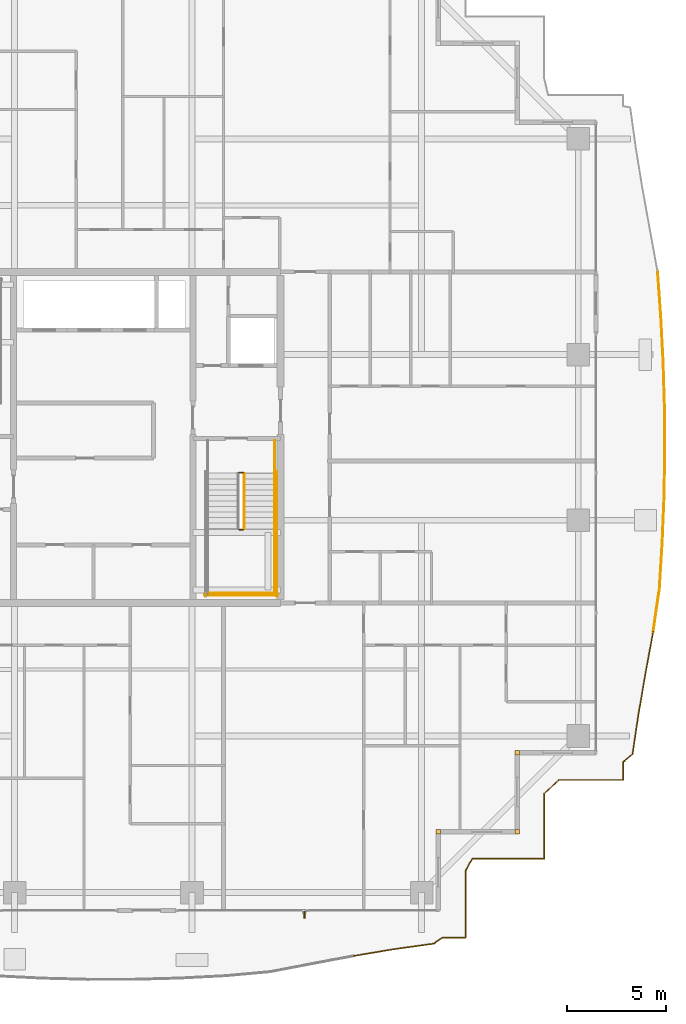
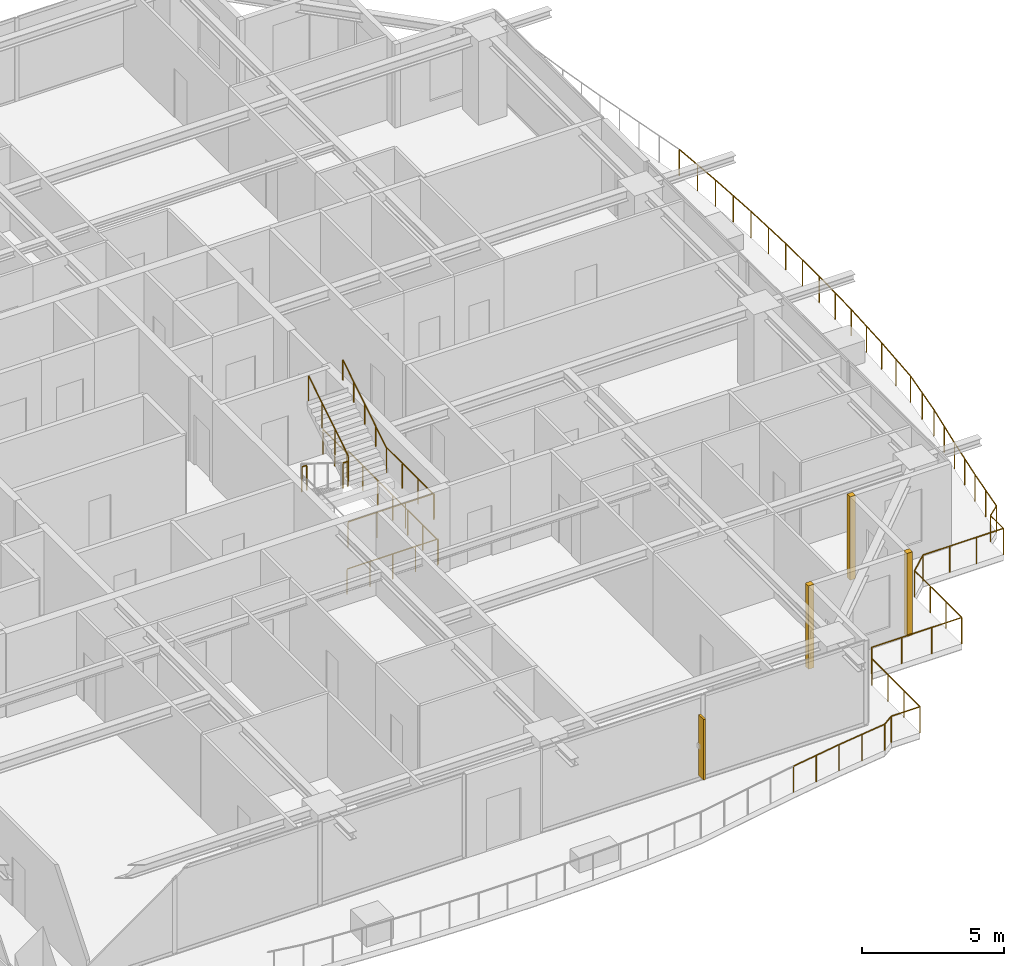
# One storey, part 37 of 38: 12 railings, 3 coverings, 1 shading device.
"""IFC4 building model written with IfcOpenShell, lengths in metres."""

from ifc_helpers import new_model, si_unit, direction, frame, origin, origin_2d, place, context, subcontext, project, spatial, rectangle, circle, extrude, source, transform, mapped, material, layer, layer_set, type_object, element, save


model = new_model("IFC4")

# Units and contexts
model_context = context("Model", 3, precision=1e-05, world=origin(), true_north=direction((0.0, 1.0)))
body_context = subcontext(model_context, "Body", "Model", "MODEL_VIEW")
ifc_project = project(units=[si_unit("LENGTHUNIT", "METRE"), si_unit("AREAUNIT", "SQUARE_METRE"), si_unit("VOLUMEUNIT", "CUBIC_METRE"), si_unit("PLANEANGLEUNIT", "RADIAN"), si_unit("MASSUNIT", "GRAM", prefix="KILO")], contexts=[model_context])

# Site, building, storey
site_placement = place(None, origin())
site = spatial("IfcSite", under=ifc_project, at=site_placement, CompositionType="ELEMENT")
building_placement = place(site_placement, origin())
building = spatial("IfcBuilding", under=site, at=building_placement, Name="Serunith Strait Residences", CompositionType="ELEMENT")
storey_placement = place(building_placement, frame((0.0, 0.0, 229.699951171875)))
storey = spatial("IfcBuildingStorey", under=building, at=storey_placement, Name="L57", CompositionType="ELEMENT", Elevation=229.699951171875)

# Railings
ifc_material_1 = material(Name="Stainless Steel & Laminated Glass Balustrade", Category="steel")
railing_type_1 = type_object("IfcRailingType", Name="RLG-BALC-1150", PredefinedType="BALUSTRADE", material=ifc_material_1)
railing_1_placement = place(storey_placement, frame((60.52783203125, 33.638427734375, -0.050048828125)))
element("IfcRailing", 1, at=railing_1_placement, inside=storey, type_object=railing_type_1, Name="L57 Swirling Balcony Perimeter Balustrade 4", PredefinedType="BALUSTRADE", context=body_context, shape_type="SweptSolid", body=[
    extrude(circle(Radius=0.02392578125, at=origin_2d()), frame((0.000244140625, -0.001953125, 1.1259765625), z_axis=(0.072035193651, -0.997402090872, 0.0), x_axis=(0.997402090872, 0.072035193651, 0.0)), (0.0, 0.0, 1.0), 2.263427734375),
    extrude(circle(Radius=0.02392578125, at=origin_2d()), frame((0.163330078125, -2.263427734375, 1.1259765625), z_axis=(0.0520735547, -0.998643252068, 0.0), x_axis=(0.998643252068, 0.0520735547, 0.0)), (0.0, 0.0, 1.0), 2.293212890625),
    extrude(circle(Radius=0.02392578125, at=origin_2d()), frame((0.282958984375, -4.5576171875, 1.1259765625), z_axis=(0.030764391895, -0.999526664072, 0.0), x_axis=(0.999526664072, 0.030764391895, 0.0)), (0.0, 0.0, 1.0), 2.313232421875),
    extrude(circle(Radius=0.02392578125, at=origin_2d()), frame((0.354248046875, -6.873779296875, 1.1259765625), z_axis=(0.006716188116, -0.999977446154, 0.0), x_axis=(0.999977446154, 0.006716188116, 0.0)), (0.0, 0.0, 1.0), 2.322509765625),
    extrude(circle(Radius=0.02392578125, at=origin_2d()), frame((0.369873046875, -9.2001953125, 1.1259765625), z_axis=(-0.017863675608, -0.999840431816, 0.0), x_axis=(0.999840431816, -0.017863675608, 0.0)), (0.0, 0.0, 1.0), 2.3193359375),
    extrude(circle(Radius=0.02392578125, at=origin_2d()), frame((0.328369140625, -11.523193359375, 1.1259765625), z_axis=(-0.041150925823, -0.999152941898, 0.0), x_axis=(0.999152941898, -0.041150925823, 0.0)), (0.0, 0.0, 1.0), 2.303955078125),
    extrude(circle(Radius=0.02392578125, at=origin_2d()), frame((0.233154296875, -13.8291015625, 1.1259765625), z_axis=(-0.061505879825, -0.998106721121, 0.0), x_axis=(0.998106721121, -0.061505879825, 0.0)), (0.0, 0.0, 1.0), 2.2783203125),
    extrude(circle(Radius=0.02392578125, at=origin_2d()), frame((0.0927734375, -16.107177734375, 1.1259765625), z_axis=(-0.143843679127, -0.98960042238, 0.0), x_axis=(0.98960042238, -0.143843679127, 0.0)), (0.0, 0.0, 1.0), 2.2109375),
    extrude(circle(Radius=0.02099609375, at=origin_2d()), origin(), (0.0, 0.0, 1.0), 1.099853515625),
    extrude(circle(Radius=0.02099609375, at=origin_2d()), frame((0.08154296875, -1.130859375, 0.0)), (0.0, 0.0, 1.0), 1.099853515625),
    extrude(circle(Radius=0.02099609375, at=origin_2d()), frame((0.163330078125, -2.261474609375, 0.0)), (0.0, 0.0, 1.0), 1.099853515625),
    extrude(circle(Radius=0.02099609375, at=origin_2d()), frame((0.22314453125, -3.40869140625, 0.0)), (0.0, 0.0, 1.0), 1.099853515625),
    extrude(circle(Radius=0.02099609375, at=origin_2d()), frame((0.282958984375, -4.5556640625, 0.0)), (0.0, 0.0, 1.0), 1.099853515625),
    extrude(circle(Radius=0.02099609375, at=origin_2d()), frame((0.318603515625, -5.7138671875, 0.0)), (0.0, 0.0, 1.0), 1.099853515625),
    extrude(circle(Radius=0.02099609375, at=origin_2d()), frame((0.354248046875, -6.871826171875, 0.0)), (0.0, 0.0, 1.0), 1.099853515625),
    extrude(circle(Radius=0.02099609375, at=origin_2d()), frame((0.362060546875, -8.03515625, 0.0)), (0.0, 0.0, 1.0), 1.099853515625),
    extrude(circle(Radius=0.02099609375, at=origin_2d()), frame((0.369873046875, -9.1982421875, 0.0)), (0.0, 0.0, 1.0), 1.099853515625),
    extrude(circle(Radius=0.02099609375, at=origin_2d()), frame((0.34912109375, -10.35986328125, 0.0)), (0.0, 0.0, 1.0), 1.099853515625),
    extrude(circle(Radius=0.02099609375, at=origin_2d()), frame((0.328369140625, -11.521240234375, 0.0)), (0.0, 0.0, 1.0), 1.099853515625),
    extrude(circle(Radius=0.02099609375, at=origin_2d()), frame((0.28076171875, -12.67431640625, 0.0)), (0.0, 0.0, 1.0), 1.099853515625),
    extrude(circle(Radius=0.02099609375, at=origin_2d()), frame((0.2333984375, -13.8271484375, 0.0)), (0.0, 0.0, 1.0), 1.099853515625),
    extrude(circle(Radius=0.02099609375, at=origin_2d()), frame((0.1630859375, -14.96630859375, 0.0)), (0.0, 0.0, 1.0), 1.099853515625),
    extrude(circle(Radius=0.02099609375, at=origin_2d()), frame((0.093017578125, -16.105224609375, 0.0)), (0.0, 0.0, 1.0), 1.099853515625),
    extrude(circle(Radius=0.02099609375, at=origin_2d()), frame((-0.06640625, -17.201171875, 0.0)), (0.0, 0.0, 1.0), 1.099853515625),
    extrude(circle(Radius=0.02099609375, at=origin_2d()), frame((-0.2255859375, -18.297119140625, 0.0)), (0.0, 0.0, 1.0), 1.099853515625),
])
railing_2_placement = place(storey_placement, frame((60.30224609375, 15.34130859375, -0.050048828125)))
element("IfcRailing", 2, at=railing_2_placement, inside=storey, type_object=railing_type_1, Name="L57 Swirling Balcony Perimeter Balustrade 5", PredefinedType="BALUSTRADE", context=body_context, shape_type="SweptSolid", body=[
    extrude(circle(Radius=0.02392578125, at=origin_2d()), frame((-0.000244140625, -0.001953125, 1.1259765625), z_axis=(-0.180467311267, -0.983580982718, 0.0), x_axis=(0.983580982718, -0.180467311267, 0.0)), (0.0, 0.0, 1.0), 2.1416015625),
    extrude(circle(Radius=0.02392578125, at=origin_2d()), frame((-0.387451171875, -2.1123046875, 1.1259765625), z_axis=(-0.169028525276, -0.985611159455, 0.0), x_axis=(0.985611159455, -0.169028525276, 0.0)), (0.0, 0.0, 1.0), 2.09033203125),
    extrude(circle(Radius=0.02392578125, at=origin_2d()), frame((-0.741455078125, -4.176513671875, 1.1259765625), z_axis=(-0.148027241341, -0.988983283894, 0.0), x_axis=(0.988983283894, -0.148027241341, 0.0)), (0.0, 0.0, 1.0), 2.05419921875),
    extrude(circle(Radius=0.02392578125, at=origin_2d()), frame((-1.04736328125, -6.21142578125, 1.1259765625), z_axis=(-0.763549553887, -0.645749238295, 0.0), x_axis=(0.645749238295, -0.763549553887, 0.0)), (0.0, 0.0, 1.0), 0.619873046875),
    extrude(circle(Radius=0.02392578125, at=origin_2d()), frame((-1.522216796875, -6.614990234375, 1.1259765625), z_axis=(0.0, -1.0, 0.0), x_axis=(1.0, 0.0, 0.0)), (0.0, 0.0, 1.0), 0.904296875),
    extrude(circle(Radius=0.02392578125, at=origin_2d()), frame((-1.524169921875, -7.521240234375, 1.1259765625), z_axis=(-1.0, 0.0, 0.0), x_axis=(0.0, -1.0, 0.0)), (0.0, 0.0, 1.0), 3.26123046875),
    extrude(circle(Radius=0.02392578125, at=origin_2d()), frame((-4.788818359375, -7.522705078125, 1.1259765625), z_axis=(-0.731337996482, -0.682015201371, 0.0), x_axis=(0.682015201371, -0.731337996482, 0.0)), (0.0, 0.0, 1.0), 1.000732421875),
    extrude(circle(Radius=0.02392578125, at=origin_2d()), frame((-5.522216796875, -8.20849609375, 1.1259765625), z_axis=(0.0, -1.0, 0.0), x_axis=(1.0, 0.0, 0.0)), (0.0, 0.0, 1.0), 3.310791015625),
    extrude(circle(Radius=0.02099609375, at=origin_2d()), origin(), (0.0, 0.0, 1.0), 1.099853515625),
    extrude(circle(Radius=0.02099609375, at=origin_2d()), frame((-0.193603515625, -1.05517578125, 0.0)), (0.0, 0.0, 1.0), 1.099853515625),
    extrude(circle(Radius=0.02099609375, at=origin_2d()), frame((-0.38720703125, -2.1103515625, 0.0)), (0.0, 0.0, 1.0), 1.099853515625),
    extrude(circle(Radius=0.02099609375, at=origin_2d()), frame((-0.564208984375, -3.142578125, 0.0)), (0.0, 0.0, 1.0), 1.099853515625),
    extrude(circle(Radius=0.02099609375, at=origin_2d()), frame((-0.7412109375, -4.174560546875, 0.0)), (0.0, 0.0, 1.0), 1.099853515625),
    extrude(circle(Radius=0.02099609375, at=origin_2d()), frame((-0.8935546875, -5.1923828125, 0.0)), (0.0, 0.0, 1.0), 1.099853515625),
    extrude(circle(Radius=0.02099609375, at=origin_2d()), frame((-1.0458984375, -6.210205078125, 0.0)), (0.0, 0.0, 1.0), 1.099853515625),
    extrude(circle(Radius=0.02099609375, at=origin_2d()), frame((-1.522216796875, -6.613037109375, 0.0)), (0.0, 0.0, 1.0), 1.099853515625),
    extrude(circle(Radius=0.02099609375, at=origin_2d()), frame((-1.522216796875, -7.521240234375, 0.0)), (0.0, 0.0, 1.0), 1.099853515625),
    extrude(circle(Radius=0.02099609375, at=origin_2d()), frame((-2.610595703125, -7.521240234375, 0.0)), (0.0, 0.0, 1.0), 1.099853515625),
    extrude(circle(Radius=0.02099609375, at=origin_2d()), frame((-3.698974609375, -7.521240234375, 0.0)), (0.0, 0.0, 1.0), 1.099853515625),
    extrude(circle(Radius=0.02099609375, at=origin_2d()), frame((-4.787353515625, -7.521240234375, 0.0)), (0.0, 0.0, 1.0), 1.099853515625),
    extrude(circle(Radius=0.02099609375, at=origin_2d()), frame((-5.522216796875, -8.20654296875, 0.0)), (0.0, 0.0, 1.0), 1.099853515625),
    extrude(circle(Radius=0.02099609375, at=origin_2d()), frame((-5.522216796875, -9.3115234375, 0.0)), (0.0, 0.0, 1.0), 1.099853515625),
    extrude(circle(Radius=0.02099609375, at=origin_2d()), frame((-5.522216796875, -10.416259765625, 0.0)), (0.0, 0.0, 1.0), 1.099853515625),
    extrude(circle(Radius=0.02099609375, at=origin_2d()), frame((-5.522216796875, -11.521240234375, 0.0)), (0.0, 0.0, 1.0), 1.099853515625),
])
railing_3_placement = place(storey_placement, frame((54.780029296875, 3.820068359375, -0.050048828125)))
element("IfcRailing", 3, at=railing_3_placement, inside=storey, type_object=railing_type_1, Name="L57 Swirling Balcony Perimeter Balustrade 6", PredefinedType="BALUSTRADE", context=body_context, shape_type="SweptSolid", body=[
    extrude(circle(Radius=0.02392578125, at=origin_2d()), frame((-0.001953125, 0.0, 1.1259765625), z_axis=(-1.0, 0.0, 0.0), x_axis=(0.0, -1.0, 0.0)), (0.0, 0.0, 1.0), 3.655029296875),
    extrude(circle(Radius=0.02392578125, at=origin_2d()), frame((-3.659912109375, -0.001708984375, 1.1259765625), z_axis=(-0.482648021958, -0.875814413503, 0.0), x_axis=(0.875814413503, -0.482648021958, 0.0)), (0.0, 0.0, 1.0), 0.70263671875),
    extrude(circle(Radius=0.02392578125, at=origin_2d()), frame((-4.0, -0.620849609375, 1.1259765625), z_axis=(0.0, -1.0, 0.0), x_axis=(1.0, 0.0, 0.0)), (0.0, 0.0, 1.0), 3.377197265625),
    extrude(circle(Radius=0.02392578125, at=origin_2d()), frame((-4.001953125, -4.0, 1.1259765625), z_axis=(-1.0, 0.0, 0.0), x_axis=(0.0, -1.0, 0.0)), (0.0, 0.0, 1.0), 1.167724609375),
    extrude(circle(Radius=0.02392578125, at=origin_2d()), frame((-5.17333984375, -4.001220703125, 1.1259765625), z_axis=(-0.819893644479, -0.572515861564, 0.0), x_axis=(0.572515861564, -0.819893644479, 0.0)), (0.0, 0.0, 1.0), 0.532958984375),
    extrude(circle(Radius=0.02392578125, at=origin_2d()), frame((-5.61376953125, -4.3076171875, 1.1259765625), z_axis=(-0.990339778668, -0.138661900993, 0.0), x_axis=(0.138661900993, -0.990339778668, 0.0)), (0.0, 0.0, 1.0), 2.0400390625),
    extrude(circle(Radius=0.02392578125, at=origin_2d()), frame((-7.63818359375, -4.591064453125, 1.1259765625), z_axis=(-0.986311032714, -0.164895563148, 0.0), x_axis=(0.164895563148, -0.986311032714, 0.0)), (0.0, 0.0, 1.0), 2.06884765625),
    extrude(circle(Radius=0.02099609375, at=origin_2d()), origin(), (0.0, 0.0, 1.0), 1.099853515625),
    extrude(circle(Radius=0.02099609375, at=origin_2d()), frame((-1.2197265625, 0.0, 0.0)), (0.0, 0.0, 1.0), 1.099853515625),
    extrude(circle(Radius=0.02099609375, at=origin_2d()), frame((-2.439208984375, 0.0, 0.0)), (0.0, 0.0, 1.0), 1.099853515625),
    extrude(circle(Radius=0.02099609375, at=origin_2d()), frame((-3.658935546875, 0.0, 0.0)), (0.0, 0.0, 1.0), 1.099853515625),
    extrude(circle(Radius=0.02099609375, at=origin_2d()), frame((-4.0, -0.618896484375, 0.0)), (0.0, 0.0, 1.0), 1.099853515625),
    extrude(circle(Radius=0.02099609375, at=origin_2d()), frame((-4.0, -1.745849609375, 0.0)), (0.0, 0.0, 1.0), 1.099853515625),
    extrude(circle(Radius=0.02099609375, at=origin_2d()), frame((-4.0, -2.873046875, 0.0)), (0.0, 0.0, 1.0), 1.099853515625),
    extrude(circle(Radius=0.02099609375, at=origin_2d()), frame((-4.0, -4.0, 0.0)), (0.0, 0.0, 1.0), 1.099853515625),
    extrude(circle(Radius=0.02099609375, at=origin_2d()), frame((-5.171630859375, -4.0, 0.0)), (0.0, 0.0, 1.0), 1.099853515625),
    extrude(circle(Radius=0.02099609375, at=origin_2d()), frame((-5.61181640625, -4.307373046875, 0.0)), (0.0, 0.0, 1.0), 1.099853515625),
    extrude(circle(Radius=0.02099609375, at=origin_2d()), frame((-6.6240234375, -4.44921875, 0.0)), (0.0, 0.0, 1.0), 1.099853515625),
    extrude(circle(Radius=0.02099609375, at=origin_2d()), frame((-7.63623046875, -4.5908203125, 0.0)), (0.0, 0.0, 1.0), 1.099853515625),
    extrude(circle(Radius=0.02099609375, at=origin_2d()), frame((-8.658447265625, -4.76171875, 0.0)), (0.0, 0.0, 1.0), 1.099853515625),
    extrude(circle(Radius=0.02099609375, at=origin_2d()), frame((-9.6806640625, -4.9326171875, 0.0)), (0.0, 0.0, 1.0), 1.099853515625),
])
ifc_material_2 = material(Name="Brushed stainless steel 316L", Category="steel")
railing_type_2 = type_object("IfcRailingType", Name="RLG-STAIR-GUARD", PredefinedType="BALUSTRADE", material=ifc_material_2)
railing_4_placement = place(storey_placement, frame((39.300048828125, 20.52001953125, 1.925048828125)))
element("IfcRailing", 4, at=railing_4_placement, inside=storey, type_object=railing_type_2, Name="L57 ST-2 stair guard 2", PredefinedType="BALUSTRADE", context=body_context, shape_type="SweptSolid", body=[
    extrude(circle(Radius=0.02392578125, at=origin_2d()), frame((0.001953125, 0.0, 1.076171875), z_axis=(1.0, 0.0, 0.0), x_axis=(0.0, 1.0, 0.0)), (0.0, 0.0, 1.0), 0.196044921875),
    extrude(circle(Radius=0.02099609375, at=origin_2d()), origin(), (0.0, 0.0, 1.0), 1.050048828125),
    extrude(circle(Radius=0.02099609375, at=origin_2d()), frame((0.199951171875, 0.0, 0.0)), (0.0, 0.0, 1.0), 1.050048828125),
])
railing_5_placement = place(storey_placement, frame((41.10009765625, 20.570068359375, 1.925048828125)))
element("IfcRailing", 5, at=railing_5_placement, inside=storey, type_object=railing_type_2, Name="L57 ST-2 stair guard 4", PredefinedType="BALUSTRADE", context=body_context, shape_type="SweptSolid", body=[
    extrude(circle(Radius=0.02392578125, at=origin_2d()), frame((0.0, -0.001953125, 1.076171875), z_axis=(0.0, -1.0, 0.0), x_axis=(1.0, 0.0, 0.0)), (0.0, 0.0, 1.0), 3.316162109375),
    extrude(circle(Radius=0.02099609375, at=origin_2d()), origin(), (0.0, 0.0, 1.0), 1.050048828125),
    extrude(circle(Radius=0.02099609375, at=origin_2d()), frame((0.0, -1.106689453125, 0.0)), (0.0, 0.0, 1.0), 1.050048828125),
    extrude(circle(Radius=0.02099609375, at=origin_2d()), frame((0.0, -2.21337890625, 0.0)), (0.0, 0.0, 1.0), 1.050048828125),
    extrude(circle(Radius=0.02099609375, at=origin_2d()), frame((0.0, -3.320068359375, 0.0)), (0.0, 0.0, 1.0), 1.050048828125),
])
railing_6_placement = place(storey_placement, frame((37.64990234375, 17.300048828125, 1.925048828125)))
element("IfcRailing", 6, at=railing_6_placement, inside=storey, type_object=railing_type_2, Name="L57 ST-2 stair guard 5", PredefinedType="BALUSTRADE", context=body_context, shape_type="SweptSolid", body=[
    extrude(circle(Radius=0.02392578125, at=origin_2d()), frame((0.001953125, 0.0, 1.076171875), z_axis=(1.0, 0.0, 0.0), x_axis=(0.0, 1.0, 0.0)), (0.0, 0.0, 1.0), 3.49609375),
    extrude(circle(Radius=0.02099609375, at=origin_2d()), origin(), (0.0, 0.0, 1.0), 1.050048828125),
    extrude(circle(Radius=0.02099609375, at=origin_2d()), frame((1.166748046875, 0.0, 0.0)), (0.0, 0.0, 1.0), 1.050048828125),
    extrude(circle(Radius=0.02099609375, at=origin_2d()), frame((2.333251953125, 0.0, 0.0)), (0.0, 0.0, 1.0), 1.050048828125),
    extrude(circle(Radius=0.02099609375, at=origin_2d()), frame((3.5, 0.0, 0.0)), (0.0, 0.0, 1.0), 1.050048828125),
])
railing_7_placement = place(storey_placement, frame((39.550048828125, 20.570068359375, 2.10009765625)))
element("IfcRailing", 7, at=railing_7_placement, inside=storey, type_object=railing_type_2, Name="L57 ST-2 stair guard 6", PredefinedType="BALUSTRADE", context=body_context, shape_type="SweptSolid", body=[
    extrude(circle(Radius=0.02392578125, at=origin_2d()), frame((0.0, 0.001708984375, 1.0771484375), z_axis=(0.0, 0.848002457836, 0.529992293815), x_axis=(-1.0, 0.0, 0.0)), (0.0, 0.0, 1.0), 3.2978515625),
    extrude(circle(Radius=0.02099609375, at=origin_2d()), origin(), (0.0, 0.0, 1.0), 1.050048828125),
    extrude(circle(Radius=0.02099609375, at=origin_2d()), frame((0.0, 0.933349609375, 0.583251953125)), (0.0, 0.0, 1.0), 1.050048828125),
    extrude(circle(Radius=0.02099609375, at=origin_2d()), frame((0.0, 1.86669921875, 1.166748046875)), (0.0, 0.0, 1.0), 1.050048828125),
    extrude(circle(Radius=0.02099609375, at=origin_2d()), frame((0.0, 2.800048828125, 1.75)), (0.0, 0.0, 1.0), 1.050048828125),
])
railing_8_placement = place(storey_placement, frame((39.300048828125, 23.419921875, 0.0)))
element("IfcRailing", 8, at=railing_8_placement, inside=storey, type_object=railing_type_2, Name="L57 ST-2 stair guard 7", PredefinedType="BALUSTRADE", context=body_context, shape_type="SweptSolid", body=[
    extrude(circle(Radius=0.02392578125, at=origin_2d()), frame((0.001953125, 0.0, 1.076171875), z_axis=(1.0, 0.0, 0.0), x_axis=(0.0, 1.0, 0.0)), (0.0, 0.0, 1.0), 0.196044921875),
    extrude(circle(Radius=0.02099609375, at=origin_2d()), origin(), (0.0, 0.0, 1.0), 1.050048828125),
    extrude(circle(Radius=0.02099609375, at=origin_2d()), frame((0.199951171875, 0.0, 0.0)), (0.0, 0.0, 1.0), 1.050048828125),
])
railing_9_placement = place(storey_placement, frame((41.10009765625, 25.050048828125, 0.0)))
element("IfcRailing", 9, at=railing_9_placement, inside=storey, type_object=railing_type_2, Name="L57 ST-2 stair guard 9", PredefinedType="BALUSTRADE", context=body_context, shape_type="SweptSolid", body=[
    extrude(circle(Radius=0.02392578125, at=origin_2d()), frame((0.0, -0.001953125, 1.076171875), z_axis=(0.0, -1.0, 0.0), x_axis=(1.0, 0.0, 0.0)), (0.0, 0.0, 1.0), 1.676025390625),
    extrude(circle(Radius=0.02099609375, at=origin_2d()), origin(), (0.0, 0.0, 1.0), 1.050048828125),
    extrude(circle(Radius=0.02099609375, at=origin_2d()), frame((0.0, -0.83984375, 0.0)), (0.0, 0.0, 1.0), 1.050048828125),
    extrude(circle(Radius=0.02099609375, at=origin_2d()), frame((0.0, -1.679931640625, 0.0)), (0.0, 0.0, 1.0), 1.050048828125),
])
railing_10_placement = place(storey_placement, frame((41.199951171875, 23.469970703125, 0.0)))
element("IfcRailing", 10, at=railing_10_placement, inside=storey, type_object=railing_type_2, Name="L57 ST-2 stair guard 11", PredefinedType="BALUSTRADE", context=body_context, shape_type="SweptSolid", body=[
    extrude(circle(Radius=0.02392578125, at=origin_2d()), frame((0.0, -0.001953125, 1.076171875), z_axis=(0.0, -1.0, 0.0), x_axis=(1.0, 0.0, 0.0)), (0.0, 0.0, 1.0), 6.316162109375),
    extrude(circle(Radius=0.02099609375, at=origin_2d()), origin(), (0.0, 0.0, 1.0), 1.050048828125),
    extrude(circle(Radius=0.02099609375, at=origin_2d()), frame((0.0, -1.05322265625, 0.0)), (0.0, 0.0, 1.0), 1.050048828125),
    extrude(circle(Radius=0.02099609375, at=origin_2d()), frame((0.0, -2.106689453125, 0.0)), (0.0, 0.0, 1.0), 1.050048828125),
    extrude(circle(Radius=0.02099609375, at=origin_2d()), frame((0.0, -3.16015625, 0.0)), (0.0, 0.0, 1.0), 1.050048828125),
    extrude(circle(Radius=0.02099609375, at=origin_2d()), frame((0.0, -4.21337890625, 0.0)), (0.0, 0.0, 1.0), 1.050048828125),
    extrude(circle(Radius=0.02099609375, at=origin_2d()), frame((0.0, -5.2666015625, 0.0)), (0.0, 0.0, 1.0), 1.050048828125),
    extrude(circle(Radius=0.02099609375, at=origin_2d()), frame((0.0, -6.320068359375, 0.0)), (0.0, 0.0, 1.0), 1.050048828125),
])
railing_11_placement = place(storey_placement, frame((37.550048828125, 17.199951171875, 0.0)))
element("IfcRailing", 11, at=railing_11_placement, inside=storey, type_object=railing_type_2, Name="L57 ST-2 stair guard 12", PredefinedType="BALUSTRADE", context=body_context, shape_type="SweptSolid", body=[
    extrude(circle(Radius=0.02392578125, at=origin_2d()), frame((0.001953125, 0.0, 1.076171875), z_axis=(1.0, 0.0, 0.0), x_axis=(0.0, 1.0, 0.0)), (0.0, 0.0, 1.0), 3.696044921875),
    extrude(circle(Radius=0.02099609375, at=origin_2d()), origin(), (0.0, 0.0, 1.0), 1.050048828125),
    extrude(circle(Radius=0.02099609375, at=origin_2d()), frame((0.925048828125, 0.0, 0.0)), (0.0, 0.0, 1.0), 1.050048828125),
    extrude(circle(Radius=0.02099609375, at=origin_2d()), frame((1.85009765625, 0.0, 0.0)), (0.0, 0.0, 1.0), 1.050048828125),
    extrude(circle(Radius=0.02099609375, at=origin_2d()), frame((2.77490234375, 0.0, 0.0)), (0.0, 0.0, 1.0), 1.050048828125),
    extrude(circle(Radius=0.02099609375, at=origin_2d()), frame((3.699951171875, 0.0, 0.0)), (0.0, 0.0, 1.0), 1.050048828125),
])
railing_type_3 = type_object("IfcRailingType", Name="RLG-STAIR-HR", PredefinedType="HANDRAIL", material=ifc_material_2)
railing_12_placement = place(storey_placement, frame((41.10009765625, 20.570068359375, 2.10009765625)))
element("IfcRailing", 12, at=railing_12_placement, inside=storey, type_object=railing_type_3, Name="L57 ST-2 stair handrail 2", PredefinedType="HANDRAIL", context=body_context, shape_type="SweptSolid", body=[
    extrude(circle(Radius=0.02392578125, at=origin_2d()), frame((0.0, 0.001708984375, 0.876953125), z_axis=(0.0, 0.847375056783, 0.530994833442), x_axis=(-1.0, 0.0, 0.0)), (0.0, 0.0, 1.0), 3.630615234375),
    extrude(circle(Radius=0.02099609375, at=origin_2d()), origin(), (0.0, 0.0, 1.0), 0.849853515625),
    extrude(circle(Radius=0.02099609375, at=origin_2d()), frame((0.0, 0.77001953125, 0.482421875)), (0.0, 0.0, 1.0), 0.849853515625),
    extrude(circle(Radius=0.02099609375, at=origin_2d()), frame((0.0, 1.5400390625, 0.96484375)), (0.0, 0.0, 1.0), 0.849853515625),
    extrude(circle(Radius=0.02099609375, at=origin_2d()), frame((0.0, 2.309814453125, 1.447509765625)), (0.0, 0.0, 1.0), 0.849853515625),
    extrude(circle(Radius=0.02099609375, at=origin_2d()), frame((0.0, 3.079833984375, 1.929931640625)), (0.0, 0.0, 1.0), 0.849853515625),
])

# Shading device
ifc_material_3 = material(Name="Pale-Champagne Perforated Aluminium Fin", Category="aluminium")
shading_device_type = type_object("IfcShadingDeviceType", Name="SHD-DIAG-FIN", PredefinedType="AWNING", material=ifc_material_3)
shared_shape_1 = source(origin(), body_context, "Body", "SweptSolid", [
    extrude(rectangle(XDim=0.080078125, YDim=0.35009765625, at=origin_2d()), origin(), (0.0, 0.0, 1.0), 2.60009765625),
])
shading_device_placement = place(storey_placement, frame((42.60009765625, 0.97998046875, 0.199951171875), z_axis=(0.0, 0.0, 1.0), x_axis=(1.0, 0.0, 0.0)))
element("IfcShadingDevice", 13, at=shading_device_placement, inside=storey, type_object=shading_device_type, Name="L57 Diagonal Rhythm Solar Fin S", PredefinedType="AWNING", context=body_context, shape_type="MappedRepresentation", body=[
    mapped(shared_shape_1, transform((0.0, 0.0, 0.0), scale=1.0)),
])

# Coverings
ifc_material_4 = material(Name="Pale-Champagne Anodised Aluminium", Category="aluminium")
ifc_layer = layer(ifc_material_4, 0.219970703125, Name="Pale-Champagne Anodised Aluminium")
ifc_layer_set = layer_set([ifc_layer], Name="Pale-Champagne Anodised Aluminium")
covering_type = type_object("IfcCoveringType", Name="COV-CORN-TRIM", PredefinedType="CLADDING", material=ifc_layer_set)
shared_shape_2 = source(origin(), body_context, "Body", "SweptSolid", [
    extrude(rectangle(XDim=0.221923828125, YDim=0.221923828125, at=origin_2d()), origin(), (0.0, 0.0, 1.0), 3.574951171875),
])
for number, where, z_axis, x_axis, name in (
    (14, (49.39990234375, 5.199951171875, 0.0), (0.0, 0.0, 1.0), (1.0, 0.0, 0.0), "L57 Girih Serrated Corner Trim Post 02"),
    (15, (53.39990234375, 5.199951171875, 0.0), (0.0, 0.0, 1.0), (1.0, 0.0, 0.0), "L57 Girih Serrated Corner Trim Post 03"),
    (16, (53.39990234375, 9.199951171875, 0.0), (0.0, 0.0, 1.0), (1.0, 0.0, 0.0), "L57 Girih Serrated Corner Trim Post 04"),
):
    element("IfcCovering", number, at=place(storey_placement, frame(where, z_axis=z_axis, x_axis=x_axis)), inside=storey, type_object=covering_type, Name=name, PredefinedType="CLADDING", context=body_context, shape_type="MappedRepresentation", body=[
        mapped(shared_shape_2, transform((0.0, 0.0, 0.0), scale=1.0)),
    ])

save(model, "model.ifc")
